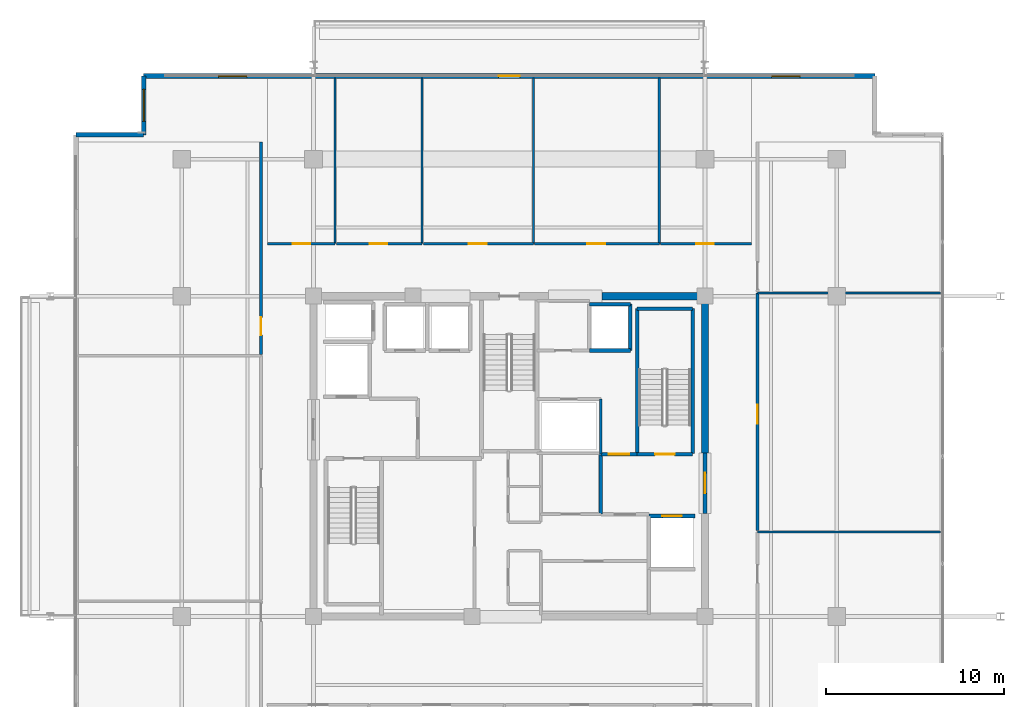
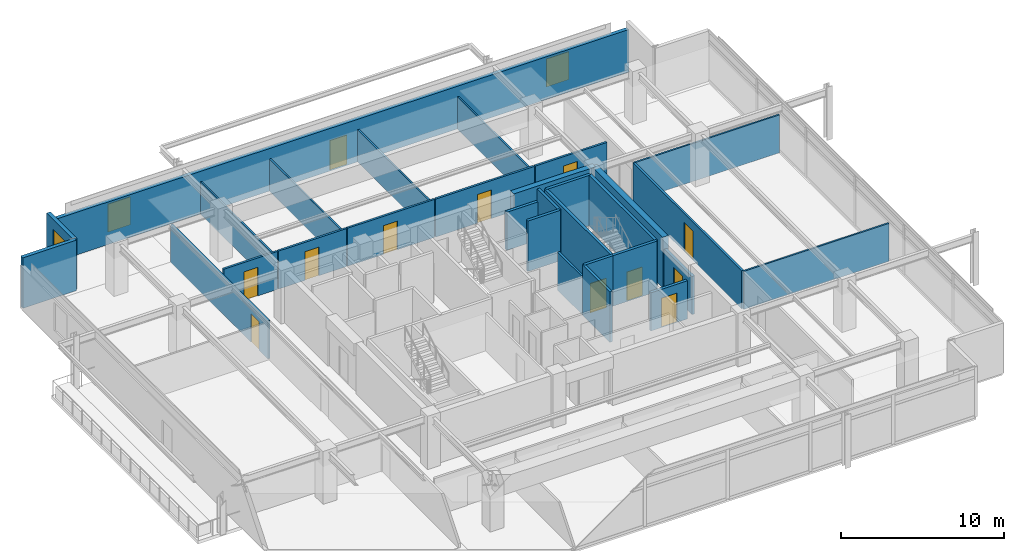
# One storey, part 15 of 20: 30 walls, 12 doors, 3 windows, 15 openings.
"""IFC4 building model written with IfcOpenShell, lengths in metres."""

from ifc_helpers import new_model, si_unit, direction, frame, frame_2d, origin, place, context, subcontext, project, spatial, rectangle, extrude, material, layer, layer_set, type_object, element, fill, save


model = new_model("IFC4")

# Units and contexts
model_context = context("Model", 3, precision=1e-05, world=origin(), true_north=direction((0.0, 1.0)))
body_context = subcontext(model_context, "Body", "Model", "MODEL_VIEW")
ifc_project = project(units=[si_unit("LENGTHUNIT", "METRE"), si_unit("AREAUNIT", "SQUARE_METRE"), si_unit("VOLUMEUNIT", "CUBIC_METRE"), si_unit("PLANEANGLEUNIT", "RADIAN"), si_unit("MASSUNIT", "GRAM", prefix="KILO")], contexts=[model_context])

# Site, building, storey
site_placement = place(None, origin())
site = spatial("IfcSite", under=ifc_project, at=site_placement, CompositionType="ELEMENT")
building_placement = place(site_placement, origin())
building = spatial("IfcBuilding", under=site, at=building_placement, Name="Kovane Verandah Tower", CompositionType="ELEMENT")
storey_placement = place(building_placement, frame((0.0, 0.0, 334.800048828125)))
storey = spatial("IfcBuildingStorey", under=building, at=storey_placement, Name="L78", CompositionType="ELEMENT", Elevation=334.800048828125)

# Wall
ifc_material_1 = material(Name="Fire-Rated Gypsum Stud Partition", Category="gypsum")
ifc_layer_1 = layer(ifc_material_1, 0.14990234375)
ifc_layer_set_1 = layer_set([ifc_layer_1], Name="Fire-Rated Gypsum Stud Partition")
wall_type_1 = type_object("IfcWallType", Name="WL-COR-150", PredefinedType="PARTITIONING", material=ifc_layer_set_1)
wall_1_placement = place(storey_placement, frame((45.14990234375, 27.6201171875, 0.0), z_axis=(0.0, 0.0, 1.0), x_axis=(0.0, 1.0, 0.0)))
element("IfcWall", 1, at=wall_1_placement, inside=storey, type_object=wall_type_1, Name="L78 East Core Service Riser East Wall", PredefinedType="PARTITIONING", context=body_context, shape_type="SweptSolid", body=[
    extrude(rectangle(XDim=3.099853515625, YDim=0.14990234375, at=frame_2d((1.5498046875, 0.0))), origin(), (0.0, 0.0, 1.0), 2.849853515625),
])

# Wall, opening, door
wall_2_placement = place(storey_placement, frame((26.39990234375, 39.449951171875, 0.0), z_axis=(0.0, 0.0, 1.0), x_axis=(1.0, 0.0, 0.0)))
wall_2 = element("IfcWall", 2, at=wall_2_placement, inside=storey, type_object=wall_type_1, Name="L78 Focus Studio N1 Corridor Partition", PredefinedType="PARTITIONING", context=body_context, shape_type="SweptSolid", body=[
    extrude(rectangle(XDim=3.80810546875, YDim=0.14990234375, at=frame_2d((1.904052734375, 0.0))), origin(), (0.0, 0.0, 1.0), 2.849853515625),
])
opening_1_placement = place(wall_2_placement, frame((1.4189453125, 0.0, 0.0)))
opening_1 = element("IfcOpeningElement", 3, at=opening_1_placement, cuts=wall_2, Name="Opening DR-L78-019", PredefinedType="OPENING", context=body_context, shape_type="SweptSolid", body=[
    extrude(rectangle(XDim=1.0, YDim=2.14990234375, at=frame_2d((0.5, 1.074951171875))), frame((0.0, 0.074951171875, 0.0), z_axis=(0.0, -1.0, 0.0), x_axis=(1.0, 0.0, 0.0)), (0.0, 0.0, 1.0), 0.14990234375),
])
ifc_material_2 = material(Name="FSC Spotted-Gum Timber Fire-Rated Office Door", Category="wood")
door_type_1 = type_object("IfcDoorType", Name="DR-OFF-1000", OperationType="SINGLE_SWING_LEFT", PredefinedType="DOOR", material=ifc_material_2)
door_1_placement = place(opening_1_placement, origin())
door_1 = element("IfcDoor", 4, at=door_1_placement, inside=storey, type_object=door_type_1, Name="L78 Focus Studio N1 Entrance Door", OperationType="SINGLE_SWING_LEFT", OverallHeight=2.14990234375, OverallWidth=1.0, PredefinedType="DOOR", context=body_context, shape_type="SweptSolid", body=[
    extrude(rectangle(XDim=1.0, YDim=2.14990234375, at=frame_2d((0.5, 1.074951171875))), frame((0.0, 0.02490234375, 0.0), z_axis=(0.0, -1.0, 0.0), x_axis=(1.0, 0.0, 0.0)), (0.0, 0.0, 1.0), 0.050048828125),
])
fill(opening_1, door_1)

wall_3_placement = place(storey_placement, frame((30.278076171875, 39.449951171875, 0.0), z_axis=(0.0, 0.0, 1.0), x_axis=(1.0, 0.0, 0.0)))
wall_3 = element("IfcWall", 5, at=wall_3_placement, inside=storey, type_object=wall_type_1, Name="L78 Breakout Pantry N2 Corridor Partition", PredefinedType="PARTITIONING", context=body_context, shape_type="SweptSolid", body=[
    extrude(rectangle(XDim=4.825927734375, YDim=0.14990234375, at=frame_2d((2.4130859375, 0.0))), origin(), (0.0, 0.0, 1.0), 2.849853515625),
])
opening_2_placement = place(wall_3_placement, frame((1.8779296875, 0.0, 0.0)))
opening_2 = element("IfcOpeningElement", 6, at=opening_2_placement, cuts=wall_3, Name="Opening DR-L78-020", PredefinedType="OPENING", context=body_context, shape_type="SweptSolid", body=[
    extrude(rectangle(XDim=1.0, YDim=2.14990234375, at=frame_2d((0.5, 1.074951171875))), frame((0.0, 0.074951171875, 0.0), z_axis=(0.0, -1.0, 0.0), x_axis=(1.0, 0.0, 0.0)), (0.0, 0.0, 1.0), 0.14990234375),
])
door_2_placement = place(opening_2_placement, origin())
door_2 = element("IfcDoor", 7, at=door_2_placement, inside=storey, type_object=door_type_1, Name="L78 Breakout Pantry N2 Entrance Door", OperationType="SINGLE_SWING_RIGHT", OverallHeight=2.14990234375, OverallWidth=1.0, PredefinedType="DOOR", context=body_context, shape_type="SweptSolid", body=[
    extrude(rectangle(XDim=1.0, YDim=2.14990234375, at=frame_2d((0.5, 1.074951171875))), frame((0.0, 0.02490234375, 0.0), z_axis=(0.0, -1.0, 0.0), x_axis=(1.0, 0.0, 0.0)), (0.0, 0.0, 1.0), 0.050048828125),
])
fill(opening_2, door_2)

wall_4_placement = place(storey_placement, frame((35.174072265625, 39.449951171875, 0.0), z_axis=(0.0, 0.0, 1.0), x_axis=(1.0, 0.0, 0.0)))
wall_4 = element("IfcWall", 8, at=wall_4_placement, inside=storey, type_object=wall_type_1, Name="L78 Collaboration Hub N3 Corridor Partition", PredefinedType="PARTITIONING", context=body_context, shape_type="SweptSolid", body=[
    extrude(rectangle(XDim=6.18603515625, YDim=0.14990234375, at=frame_2d((3.093017578125, 0.0))), origin(), (0.0, 0.0, 1.0), 2.849853515625),
])
opening_3_placement = place(wall_4_placement, frame((2.55810546875, 0.0, 0.0)))
opening_3 = element("IfcOpeningElement", 9, at=opening_3_placement, cuts=wall_4, Name="Opening DR-L78-021", PredefinedType="OPENING", context=body_context, shape_type="SweptSolid", body=[
    extrude(rectangle(XDim=1.0, YDim=2.14990234375, at=frame_2d((0.5, 1.074951171875))), frame((0.0, 0.074951171875, 0.0), z_axis=(0.0, -1.0, 0.0), x_axis=(1.0, 0.0, 0.0)), (0.0, 0.0, 1.0), 0.14990234375),
])
door_3_placement = place(opening_3_placement, origin())
door_3 = element("IfcDoor", 10, at=door_3_placement, inside=storey, type_object=door_type_1, Name="L78 Collaboration Hub N3 Entrance Door", OperationType="SINGLE_SWING_LEFT", OverallHeight=2.14990234375, OverallWidth=1.0, PredefinedType="DOOR", context=body_context, shape_type="SweptSolid", body=[
    extrude(rectangle(XDim=1.0, YDim=2.14990234375, at=frame_2d((0.5, 1.074951171875))), frame((0.0, 0.02490234375, 0.0), z_axis=(0.0, -1.0, 0.0), x_axis=(1.0, 0.0, 0.0)), (0.0, 0.0, 1.0), 0.050048828125),
])
fill(opening_3, door_3)

wall_5_placement = place(storey_placement, frame((41.429931640625, 39.449951171875, 0.0), z_axis=(0.0, 0.0, 1.0), x_axis=(1.0, 0.0, 0.0)))
wall_5 = element("IfcWall", 11, at=wall_5_placement, inside=storey, type_object=wall_type_1, Name="L78 Document and Print Room N4 Corridor Partition", PredefinedType="PARTITIONING", context=body_context, shape_type="SweptSolid", body=[
    extrude(rectangle(XDim=7.001953125, YDim=0.14990234375, at=frame_2d((3.5009765625, 0.0))), origin(), (0.0, 0.0, 1.0), 2.849853515625),
])
opening_4_placement = place(wall_5_placement, frame((2.966064453125, 0.0, 0.0)))
opening_4 = element("IfcOpeningElement", 12, at=opening_4_placement, cuts=wall_5, Name="Opening DR-L78-022", PredefinedType="OPENING", context=body_context, shape_type="SweptSolid", body=[
    extrude(rectangle(XDim=1.0, YDim=2.14990234375, at=frame_2d((0.5, 1.074951171875))), frame((0.0, 0.074951171875, 0.0), z_axis=(0.0, -1.0, 0.0), x_axis=(1.0, 0.0, 0.0)), (0.0, 0.0, 1.0), 0.14990234375),
])
door_4_placement = place(opening_4_placement, origin())
door_4 = element("IfcDoor", 13, at=door_4_placement, inside=storey, type_object=door_type_1, Name="L78 Document and Print Room N4 Entrance Door", OperationType="SINGLE_SWING_RIGHT", OverallHeight=2.14990234375, OverallWidth=1.0, PredefinedType="DOOR", context=body_context, shape_type="SweptSolid", body=[
    extrude(rectangle(XDim=1.0, YDim=2.14990234375, at=frame_2d((0.5, 1.074951171875))), frame((0.0, 0.02490234375, 0.0), z_axis=(0.0, -1.0, 0.0), x_axis=(1.0, 0.0, 0.0)), (0.0, 0.0, 1.0), 0.050048828125),
])
fill(opening_4, door_4)

wall_6_placement = place(storey_placement, frame((48.501953125, 39.449951171875, 0.0), z_axis=(0.0, 0.0, 1.0), x_axis=(1.0, 0.0, 0.0)))
wall_6 = element("IfcWall", 14, at=wall_6_placement, inside=storey, type_object=wall_type_1, Name="L78 Open Plan Office N5 Corridor Partition", PredefinedType="PARTITIONING", context=body_context, shape_type="SweptSolid", body=[
    extrude(rectangle(XDim=5.09814453125, YDim=0.14990234375, at=frame_2d((2.549072265625, 0.0))), origin(), (0.0, 0.0, 1.0), 2.849853515625),
])
opening_5_placement = place(wall_6_placement, frame((1.9990234375, 0.0, 0.0)))
opening_5 = element("IfcOpeningElement", 15, at=opening_5_placement, cuts=wall_6, Name="Opening DR-L78-023", PredefinedType="OPENING", context=body_context, shape_type="SweptSolid", body=[
    extrude(rectangle(XDim=1.0, YDim=2.14990234375, at=frame_2d((0.5, 1.074951171875))), frame((0.0, 0.074951171875, 0.0), z_axis=(0.0, -1.0, 0.0), x_axis=(1.0, 0.0, 0.0)), (0.0, 0.0, 1.0), 0.14990234375),
])
door_5_placement = place(opening_5_placement, origin())
door_5 = element("IfcDoor", 16, at=door_5_placement, inside=storey, type_object=door_type_1, Name="L78 Open Plan Office N5 Entrance Door", OperationType="SINGLE_SWING_LEFT", OverallHeight=2.14990234375, OverallWidth=1.0, PredefinedType="DOOR", context=body_context, shape_type="SweptSolid", body=[
    extrude(rectangle(XDim=1.0, YDim=2.14990234375, at=frame_2d((0.5, 1.074951171875))), frame((0.0, 0.02490234375, 0.0), z_axis=(0.0, -1.0, 0.0), x_axis=(1.0, 0.0, 0.0)), (0.0, 0.0, 1.0), 0.050048828125),
])
fill(opening_5, door_5)

wall_7_placement = place(storey_placement, frame((26.050048828125, 33.22509765625, 0.0), z_axis=(0.0, 0.0, 1.0), x_axis=(0.0, 1.0, 0.0)))
wall_7 = element("IfcWall", 17, at=wall_7_placement, inside=storey, type_object=wall_type_1, Name="L78 Document and Print Room W3 Corridor Partition", PredefinedType="PARTITIONING", context=body_context, shape_type="SweptSolid", body=[
    extrude(rectangle(XDim=11.947021484375, YDim=0.14990234375, at=frame_2d((5.9736328125, 0.0))), origin(), (0.0, 0.0, 1.0), 2.849853515625),
])
opening_6_placement = place(wall_7_placement, frame((1.08740234375, 0.0, 0.0)))
opening_6 = element("IfcOpeningElement", 18, at=opening_6_placement, cuts=wall_7, Name="Opening DR-L78-033", PredefinedType="OPENING", context=body_context, shape_type="SweptSolid", body=[
    extrude(rectangle(XDim=1.0, YDim=2.14990234375, at=frame_2d((0.5, 1.074951171875))), frame((0.0, 0.074951171875, 0.0), z_axis=(0.0, -1.0, 0.0), x_axis=(1.0, 0.0, 0.0)), (0.0, 0.0, 1.0), 0.14990234375),
])
door_6_placement = place(opening_6_placement, origin())
door_6 = element("IfcDoor", 19, at=door_6_placement, inside=storey, type_object=door_type_1, Name="L78 Document and Print Room W3 Entrance Door", OperationType="SINGLE_SWING_RIGHT", OverallHeight=2.14990234375, OverallWidth=1.0, PredefinedType="DOOR", context=body_context, shape_type="SweptSolid", body=[
    extrude(rectangle(XDim=1.0, YDim=2.14990234375, at=frame_2d((0.5, 1.074951171875))), frame((0.0, 0.02490234375, 0.0), z_axis=(0.0, -1.0, 0.0), x_axis=(1.0, 0.0, 0.0)), (0.0, 0.0, 1.0), 0.050048828125),
])
fill(opening_6, door_6)

wall_8_placement = place(storey_placement, frame((53.949951171875, 23.32861328125, 0.0), z_axis=(0.0, 0.0, 1.0), x_axis=(0.0, 1.0, 0.0)))
wall_8 = element("IfcWall", 20, at=wall_8_placement, inside=storey, type_object=wall_type_1, Name="L78 Executive Office E2 Corridor Partition", PredefinedType="PARTITIONING", context=body_context, shape_type="SweptSolid", body=[
    extrude(rectangle(XDim=13.36083984375, YDim=0.14990234375, at=frame_2d((6.680419921875, 0.0))), origin(), (0.0, 0.0, 1.0), 2.849853515625),
])
opening_7_placement = place(wall_8_placement, frame((6.0107421875, 0.0, 0.0)))
opening_7 = element("IfcOpeningElement", 21, at=opening_7_placement, cuts=wall_8, Name="Opening DR-L78-012", PredefinedType="OPENING", context=body_context, shape_type="SweptSolid", body=[
    extrude(rectangle(XDim=1.050048828125, YDim=2.199951171875, at=frame_2d((0.52490234375, 1.10009765625))), frame((0.0, 0.074951171875, 0.0), z_axis=(0.0, -1.0, 0.0), x_axis=(1.0, 0.0, 0.0)), (0.0, 0.0, 1.0), 0.14990234375),
])
ifc_material_3 = material(Name="FSC Blackbutt Timber Fire-Rated Executive Door", Category="wood")
door_type_2 = type_object("IfcDoorType", Name="DR-EXEC-1050", OperationType="SINGLE_SWING_LEFT", PredefinedType="DOOR", material=ifc_material_3)
door_7_placement = place(opening_7_placement, origin())
door_7 = element("IfcDoor", 22, at=door_7_placement, inside=storey, type_object=door_type_2, Name="L78 Executive Office E2 Entrance Door", OperationType="SINGLE_SWING_RIGHT", OverallHeight=2.199951171875, OverallWidth=1.050048828125, PredefinedType="DOOR", context=body_context, shape_type="SweptSolid", body=[
    extrude(rectangle(XDim=1.050048828125, YDim=2.199951171875, at=frame_2d((0.52490234375, 1.10009765625))), frame((0.0, 0.02490234375, 0.0), z_axis=(0.0, -1.0, 0.0), x_axis=(1.0, 0.0, 0.0)), (0.0, 0.0, 1.0), 0.050048828125),
])
fill(opening_7, door_7)

# Walls
ifc_material_4 = material(Name="Concrete C60/75", Category="concrete")
ifc_layer_2 = layer(ifc_material_4, 0.39990234375)
ifc_layer_set_2 = layer_set([ifc_layer_2], Name="Concrete C60/75")
wall_type_2 = type_object("IfcWallType", Name="WL-CORE-400", PredefinedType="SHEAR", material=ifc_layer_set_2)
wall_9_placement = place(storey_placement, frame((45.199951171875, 36.5, 0.0), z_axis=(0.0, 0.0, 1.0), x_axis=(1.0, 0.0, 0.0)))
element("IfcWall", 23, at=wall_9_placement, inside=storey, type_object=wall_type_2, Name="L78 Core Shear Wall CN-3", PredefinedType="SHEAR", context=body_context, shape_type="SweptSolid", body=[
    extrude(rectangle(XDim=5.800048828125, YDim=0.39990234375, at=frame_2d((2.89990234375, 0.0))), origin(), (0.0, 0.0, 1.0), 3.784912109375),
])
wall_10_placement = place(storey_placement, frame((51.0, 27.699951171875, 0.0), z_axis=(0.0, 0.0, 1.0), x_axis=(0.0, 1.0, 0.0)))
element("IfcWall", 24, at=wall_10_placement, inside=storey, type_object=wall_type_2, Name="L78 Core Shear Wall CE-2", PredefinedType="SHEAR", context=body_context, shape_type="SweptSolid", body=[
    extrude(rectangle(XDim=8.800048828125, YDim=0.39990234375, at=frame_2d((4.39990234375, 0.0))), origin(), (0.0, 0.0, 1.0), 3.784912109375),
])
ifc_material_5 = material(Name="Concrete C45/55 Fire Wall", Category="concrete")
ifc_layer_3 = layer(ifc_material_5, 0.199951171875)
ifc_layer_set_3 = layer_set([ifc_layer_3], Name="Concrete C45/55 Fire Wall")
wall_type_3 = type_object("IfcWallType", Name="WL-FFL-200", PredefinedType="PARTITIONING", material=ifc_layer_set_3)
wall_11_placement = place(storey_placement, frame((45.14990234375, 24.25, 0.0), z_axis=(0.0, 0.0, 1.0), x_axis=(0.0, 1.0, 0.0)))
element("IfcWall", 25, at=wall_11_placement, inside=storey, type_object=wall_type_3, Name="L78 East Firefighting Lobby West Fire Wall", PredefinedType="PARTITIONING", context=body_context, shape_type="SweptSolid", body=[
    extrude(rectangle(XDim=3.3701171875, YDim=0.199951171875, at=frame_2d((1.68505859375, 0.0))), origin(), (0.0, 0.0, 1.0), 3.784912109375),
])

# Wall, opening, door
wall_12_placement = place(storey_placement, frame((45.14990234375, 27.6201171875, 0.0), z_axis=(0.0, 0.0, 1.0), x_axis=(1.0, 0.0, 0.0)))
wall_12 = element("IfcWall", 26, at=wall_12_placement, inside=storey, type_object=wall_type_3, Name="W-L78-FFLE-N", PredefinedType="PARTITIONING", context=body_context, shape_type="SweptSolid", body=[
    extrude(rectangle(XDim=2.030029296875, YDim=0.199951171875, at=frame_2d((1.01513671875, 0.0))), origin(), (0.0, 0.0, 1.0), 3.784912109375),
])
opening_8_placement = place(wall_12_placement, frame((0.43994140625, 0.0, 0.0)))
opening_8 = element("IfcOpeningElement", 27, at=opening_8_placement, cuts=wall_12, Name="Opening DR-L78-004", PredefinedType="OPENING", context=body_context, shape_type="SweptSolid", body=[
    extrude(rectangle(XDim=1.14990234375, YDim=2.199951171875, at=frame_2d((0.574951171875, 1.10009765625))), frame((0.0, 0.10009765625, 0.0), z_axis=(0.0, -1.0, 0.0), x_axis=(1.0, 0.0, 0.0)), (0.0, 0.0, 1.0), 0.199951171875),
])
ifc_material_6 = material(Name="Smoke-Sealed Firefighting Lobby Door", Category="steel")
door_type_3 = type_object("IfcDoorType", Name="DR-FFL-1150", OperationType="SINGLE_SWING_LEFT", PredefinedType="DOOR", material=ifc_material_6)
door_8_placement = place(opening_8_placement, origin())
door_8 = element("IfcDoor", 28, at=door_8_placement, inside=storey, type_object=door_type_3, Name="L78 East Firefighting Lobby Shuttle Link Door", OperationType="SINGLE_SWING_LEFT", OverallHeight=2.199951171875, OverallWidth=1.14990234375, PredefinedType="DOOR", context=body_context, shape_type="SweptSolid", body=[
    extrude(rectangle(XDim=1.14990234375, YDim=2.199951171875, at=frame_2d((0.574951171875, 1.10009765625))), frame((0.0, 0.02490234375, 0.0), z_axis=(0.0, -1.0, 0.0), x_axis=(1.0, 0.0, 0.0)), (0.0, 0.0, 1.0), 0.050048828125),
])
fill(opening_8, door_8)

wall_13_placement = place(storey_placement, frame((51.0, 24.300048828125, 0.0), z_axis=(0.0, 0.0, 1.0), x_axis=(0.0, 1.0, 0.0)))
wall_13 = element("IfcWall", 29, at=wall_13_placement, inside=storey, type_object=wall_type_3, Name="W-L78-FFLE-OUT", PredefinedType="PARTITIONING", context=body_context, shape_type="SweptSolid", body=[
    extrude(rectangle(XDim=3.39990234375, YDim=0.199951171875, at=frame_2d((1.699951171875, 0.0))), origin(), (0.0, 0.0, 1.0), 2.864990234375),
])
opening_9_placement = place(wall_13_placement, frame((1.125, 0.0, 0.0)))
opening_9 = element("IfcOpeningElement", 30, at=opening_9_placement, cuts=wall_13, Name="Opening DR-L78-005", PredefinedType="OPENING", context=body_context, shape_type="SweptSolid", body=[
    extrude(rectangle(XDim=1.14990234375, YDim=2.199951171875, at=frame_2d((0.574951171875, 1.10009765625))), frame((0.0, 0.10009765625, 0.0), z_axis=(0.0, -1.0, 0.0), x_axis=(1.0, 0.0, 0.0)), (0.0, 0.0, 1.0), 0.199951171875),
])
door_9_placement = place(opening_9_placement, origin())
door_9 = element("IfcDoor", 31, at=door_9_placement, inside=storey, type_object=door_type_3, Name="L78 East Firefighting Lobby Corridor Door", OperationType="SINGLE_SWING_LEFT", OverallHeight=2.199951171875, OverallWidth=1.14990234375, PredefinedType="DOOR", context=body_context, shape_type="SweptSolid", body=[
    extrude(rectangle(XDim=1.14990234375, YDim=2.199951171875, at=frame_2d((0.574951171875, 1.10009765625))), frame((0.0, 0.02490234375, 0.0), z_axis=(0.0, -1.0, 0.0), x_axis=(1.0, 0.0, 0.0)), (0.0, 0.0, 1.0), 0.050048828125),
])
fill(opening_9, door_9)

ifc_material_7 = material(Name="Concrete C45/55 Lift Shaft Wall", Category="concrete")
ifc_layer_4 = layer(ifc_material_7, 0.199951171875)
ifc_layer_set_4 = layer_set([ifc_layer_4], Name="Concrete C45/55 Lift Shaft Wall")
wall_type_4 = type_object("IfcWallType", Name="WL-LIFT-200", PredefinedType="SOLIDWALL", material=ifc_layer_set_4)
wall_14_placement = place(storey_placement, frame((50.449951171875, 24.14990234375, 0.0), z_axis=(0.0, 0.0, 1.0), x_axis=(-1.0, 0.0, 0.0)))
wall_14 = element("IfcWall", 32, at=wall_14_placement, inside=storey, type_object=wall_type_4, Name="L78 Lift FL-02 N Shaft Wall", PredefinedType="SOLIDWALL", context=body_context, shape_type="SweptSolid", body=[
    extrude(rectangle(XDim=2.599853515625, YDim=0.199951171875, at=frame_2d((1.2998046875, 0.0))), origin(), (0.0, 0.0, 1.0), 2.864990234375),
])
opening_10_placement = place(wall_14_placement, frame((0.75, 0.0, 0.0)))
opening_10 = element("IfcOpeningElement", 33, at=opening_10_placement, cuts=wall_14, Name="Opening LD-L78-002", PredefinedType="OPENING", context=body_context, shape_type="SweptSolid", body=[
    extrude(rectangle(XDim=1.10009765625, YDim=2.199951171875, at=frame_2d((0.550048828125, 1.10009765625))), frame((0.0, 0.10009765625, 0.0), z_axis=(0.0, -1.0, 0.0), x_axis=(1.0, 0.0, 0.0)), (0.0, 0.0, 1.0), 0.199951171875),
])
ifc_material_8 = material(Name="Brushed Stainless Steel Sliding Lift Landing Door", Category="steel")
door_type_4 = type_object("IfcDoorType", Name="DR-LIFT-1100", OperationType="SLIDING_TO_RIGHT", PredefinedType="DOOR", material=ifc_material_8)
door_10_placement = place(opening_10_placement, origin())
door_10 = element("IfcDoor", 34, at=door_10_placement, inside=storey, type_object=door_type_4, Name="L78 Lift FL-02 Sliding Landing Door", OperationType="SLIDING_TO_RIGHT", OverallHeight=2.199951171875, OverallWidth=1.10009765625, PredefinedType="DOOR", context=body_context, shape_type="SweptSolid", body=[
    extrude(rectangle(XDim=1.10009765625, YDim=2.199951171875, at=frame_2d((0.550048828125, 1.10009765625))), frame((0.0, 0.02490234375, 0.0), z_axis=(0.0, -1.0, 0.0), x_axis=(1.0, 0.0, 0.0)), (0.0, 0.0, 1.0), 0.050048828125),
])
fill(opening_10, door_10)

# Walls
wall_15_placement = place(storey_placement, frame((44.5, 33.449951171875, 0.0), z_axis=(0.0, 0.0, 1.0), x_axis=(1.0, 0.0, 0.0)))
element("IfcWall", 35, at=wall_15_placement, inside=storey, type_object=wall_type_4, Name="L78 Lift OL-01 S Shaft Wall", PredefinedType="SOLIDWALL", context=body_context, shape_type="SweptSolid", body=[
    extrude(rectangle(XDim=2.300048828125, YDim=0.199951171875, at=frame_2d((1.14990234375, 0.0))), origin(), (0.0, 0.0, 1.0), 3.784912109375),
])
wall_16_placement = place(storey_placement, frame((46.800048828125, 36.050048828125, 0.0), z_axis=(0.0, 0.0, 1.0), x_axis=(-1.0, 0.0, 0.0)))
element("IfcWall", 36, at=wall_16_placement, inside=storey, type_object=wall_type_4, Name="L78 Lift OL-01 N Shaft Wall", PredefinedType="SOLIDWALL", context=body_context, shape_type="SweptSolid", body=[
    extrude(rectangle(XDim=2.300048828125, YDim=0.199951171875, at=frame_2d((1.14990234375, 0.0))), origin(), (0.0, 0.0, 1.0), 2.864990234375),
])
wall_17_placement = place(storey_placement, frame((46.800048828125, 33.449951171875, 0.0), z_axis=(0.0, 0.0, 1.0), x_axis=(0.0, 1.0, 0.0)))
element("IfcWall", 37, at=wall_17_placement, inside=storey, type_object=wall_type_4, Name="L78 Lift OL-01 E Shaft Wall", PredefinedType="SOLIDWALL", context=body_context, shape_type="SweptSolid", body=[
    extrude(rectangle(XDim=2.60009765625, YDim=0.199951171875, at=frame_2d((1.300048828125, 0.0))), origin(), (0.0, 0.0, 1.0), 3.784912109375),
])
ifc_material_9 = material(Name="Acoustic Fire-Rated Gypsum Partition", Category="gypsum")
ifc_layer_5 = layer(ifc_material_9, 0.1201171875)
ifc_layer_set_5 = layer_set([ifc_layer_5], Name="Acoustic Fire-Rated Gypsum Partition")
wall_type_5 = type_object("IfcWallType", Name="WL-PART-120", PredefinedType="PARTITIONING", material=ifc_layer_set_5)
for number, where, z_axis, x_axis, name in (
    (38, (30.2080078125, 39.449951171875, 0.0), (0.0, 0.0, 1.0), (0.0, 1.0, 0.0), "L78 Focus Studio N1 Dividing Partition"),
    (39, (35.10400390625, 39.449951171875, 0.0), (0.0, 0.0, 1.0), (0.0, 1.0, 0.0), "L78 Breakout Pantry N2 Dividing Partition"),
    (40, (41.360107421875, 39.449951171875, 0.0), (0.0, 0.0, 1.0), (0.0, 1.0, 0.0), "L78 Collaboration Hub N3 Dividing Partition"),
    (41, (48.431884765625, 39.449951171875, 0.0), (0.0, 0.0, 1.0), (0.0, 1.0, 0.0), "L78 Document and Print Room N4 Dividing Partition"),
):
    element("IfcWall", number, at=place(storey_placement, frame(where, z_axis=z_axis, x_axis=x_axis)), inside=storey, type_object=wall_type_5, Name=name, PredefinedType="PARTITIONING", context=body_context, shape_type="SweptSolid", body=[
        extrude(rectangle(XDim=9.322265625, YDim=0.1201171875, at=frame_2d((4.6611328125, 0.0))), origin(), (0.0, 0.0, 1.0), 2.4150390625),
    ])
for number, where, z_axis, x_axis, name in (
    (42, (53.949951171875, 23.2587890625, 0.0), (0.0, 0.0, 1.0), (1.0, 0.0, 0.0), "L78 Open Plan Office E1 Dividing Partition"),
    (43, (53.949951171875, 36.689453125, 0.0), (0.0, 0.0, 1.0), (1.0, 0.0, 0.0), "L78 Executive Office E2 Dividing Partition"),
):
    element("IfcWall", number, at=place(storey_placement, frame(where, z_axis=z_axis, x_axis=x_axis)), inside=storey, type_object=wall_type_5, Name=name, PredefinedType="PARTITIONING", context=body_context, shape_type="SweptSolid", body=[
        extrude(rectangle(XDim=10.29443359375, YDim=0.1201171875, at=frame_2d((5.147216796875, 0.0))), origin(), (0.0, 0.0, 1.0), 2.849853515625),
    ])
ifc_material_10 = material(Name="Concrete C45/55", Category="concrete")
ifc_layer_6 = layer(ifc_material_10, 0.199951171875)
ifc_layer_set_6 = layer_set([ifc_layer_6], Name="Concrete C45/55")
wall_type_6 = type_object("IfcWallType", Name="WL-SHAFT-200", PredefinedType="SOLIDWALL", material=ifc_layer_set_6)
wall_18_placement = place(storey_placement, frame((50.300048828125, 27.64990234375, 0.0), z_axis=(0.0, 0.0, 1.0), x_axis=(0.0, 1.0, 0.0)))
element("IfcWall", 44, at=wall_18_placement, inside=storey, type_object=wall_type_6, Name="W-L78-ST02-E", PredefinedType="SOLIDWALL", context=body_context, shape_type="SweptSolid", body=[
    extrude(rectangle(XDim=8.150146484375, YDim=0.199951171875, at=frame_2d((4.0751953125, 0.0))), origin(), (0.0, 0.0, 1.0), 3.784912109375),
])
wall_19_placement = place(storey_placement, frame((47.179931640625, 35.800048828125, 0.0), z_axis=(0.0, 0.0, 1.0), x_axis=(1.0, 0.0, 0.0)))
element("IfcWall", 45, at=wall_19_placement, inside=storey, type_object=wall_type_6, Name="W-L78-ST02-N", PredefinedType="SOLIDWALL", context=body_context, shape_type="SweptSolid", body=[
    extrude(rectangle(XDim=3.1201171875, YDim=0.199951171875, at=frame_2d((1.56005859375, 0.0))), origin(), (0.0, 0.0, 1.0), 3.784912109375),
])
wall_20_placement = place(storey_placement, frame((47.179931640625, 27.6201171875, 0.0), z_axis=(0.0, 0.0, 1.0), x_axis=(0.0, 1.0, 0.0)))
element("IfcWall", 46, at=wall_20_placement, inside=storey, type_object=wall_type_6, Name="W-L78-ST02-W", PredefinedType="SOLIDWALL", context=body_context, shape_type="SweptSolid", body=[
    extrude(rectangle(XDim=8.179931640625, YDim=0.199951171875, at=frame_2d((4.08984375, 0.0))), origin(), (0.0, 0.0, 1.0), 3.784912109375),
])

# Wall, opening, door
wall_21_placement = place(storey_placement, frame((47.179931640625, 27.6201171875, 0.0), z_axis=(0.0, 0.0, 1.0), x_axis=(1.0, 0.0, 0.0)))
wall_21 = element("IfcWall", 47, at=wall_21_placement, inside=storey, type_object=wall_type_6, Name="W-L78-ST02-S", PredefinedType="SOLIDWALL", context=body_context, shape_type="SweptSolid", body=[
    extrude(rectangle(XDim=3.1201171875, YDim=0.199951171875, at=frame_2d((1.56005859375, 0.0))), origin(), (0.0, 0.0, 1.0), 3.784912109375),
])
opening_11_placement = place(wall_21_placement, frame((1.010009765625, 0.0, 0.0)))
opening_11 = element("IfcOpeningElement", 48, at=opening_11_placement, cuts=wall_21, Name="Opening DR-L78-009", PredefinedType="OPENING", context=body_context, shape_type="SweptSolid", body=[
    extrude(rectangle(XDim=1.10009765625, YDim=2.14990234375, at=frame_2d((0.550048828125, 1.074951171875))), frame((0.0, 0.10009765625, 0.0), z_axis=(0.0, -1.0, 0.0), x_axis=(1.0, 0.0, 0.0)), (0.0, 0.0, 1.0), 0.199951171875),
])
ifc_material_11 = material(Name="Fire-Rated Steel Exit Door", Category="steel")
door_type_5 = type_object("IfcDoorType", Name="DR-STAIR-1100", OperationType="SINGLE_SWING_LEFT", PredefinedType="DOOR", material=ifc_material_11)
door_11_placement = place(opening_11_placement, origin())
door_11 = element("IfcDoor", 49, at=door_11_placement, inside=storey, type_object=door_type_5, Name="L78 ST-02 Fire Exit Stair Door", OperationType="SINGLE_SWING_LEFT", OverallHeight=2.14990234375, OverallWidth=1.10009765625, PredefinedType="DOOR", context=body_context, shape_type="SweptSolid", body=[
    extrude(rectangle(XDim=1.10009765625, YDim=2.14990234375, at=frame_2d((0.550048828125, 1.074951171875))), frame((0.0, 0.02490234375, 0.0), z_axis=(0.0, -1.0, 0.0), x_axis=(1.0, 0.0, 0.0)), (0.0, 0.0, 1.0), 0.050048828125),
])
fill(opening_11, door_11)

# Wall, openings, door, windows
ifc_material_12 = material(Name="Concrete C45/55 Insulated Spandrel Wall", Category="concrete")
ifc_layer_7 = layer(ifc_material_12, 0.260009765625)
ifc_layer_set_7 = layer_set([ifc_layer_7], Name="Concrete C45/55 Insulated Spandrel Wall")
wall_type_7 = type_object("IfcWallType", Name="WL-SPANDREL-260", PredefinedType="PARAPET", material=ifc_layer_set_7)
wall_22_placement = place(storey_placement, frame((60.54443359375, 48.872314453125, 0.0), z_axis=(0.0, 0.0, 1.0), x_axis=(-1.0, 0.0, 0.0)))
wall_22 = element("IfcWall", 50, at=wall_22_placement, inside=storey, type_object=wall_type_7, Name="L78 N Verandah Access Facade Wall", PredefinedType="PARAPET", context=body_context, shape_type="SweptSolid", body=[
    extrude(rectangle(XDim=41.0888671875, YDim=0.260009765625, at=frame_2d((20.54443359375, 0.0))), origin(), (0.0, 0.0, 1.0), 3.195556640625),
])
opening_12_placement = place(wall_22_placement, frame((4.199951171875, 0.0, 0.85009765625)))
opening_12 = element("IfcOpeningElement", 51, at=opening_12_placement, cuts=wall_22, Name="Opening W-02", PredefinedType="OPENING", context=body_context, shape_type="SweptSolid", body=[
    extrude(rectangle(XDim=1.60009765625, YDim=2.10009765625, at=frame_2d((0.800048828125, 1.050048828125))), frame((0.0, 0.1298828125, 0.0), z_axis=(0.0, -1.0, 0.0), x_axis=(1.0, 0.0, 0.0)), (0.0, 0.0, 1.0), 0.260009765625),
])
opening_13_placement = place(wall_22_placement, frame((19.9443359375, 0.0, 0.0)))
opening_13 = element("IfcOpeningElement", 52, at=opening_13_placement, cuts=wall_22, Name="Opening DR-L78-001", PredefinedType="OPENING", context=body_context, shape_type="SweptSolid", body=[
    extrude(rectangle(XDim=1.199951171875, YDim=2.199951171875, at=frame_2d((0.60009765625, 1.10009765625))), frame((0.0, 0.1298828125, 0.0), z_axis=(0.0, -1.0, 0.0), x_axis=(1.0, 0.0, 0.0)), (0.0, 0.0, 1.0), 0.260009765625),
])
opening_14_placement = place(wall_22_placement, frame((35.288818359375, 0.0, 0.85009765625)))
opening_14 = element("IfcOpeningElement", 53, at=opening_14_placement, cuts=wall_22, Name="Opening W-02", PredefinedType="OPENING", context=body_context, shape_type="SweptSolid", body=[
    extrude(rectangle(XDim=1.60009765625, YDim=2.10009765625, at=frame_2d((0.800048828125, 1.050048828125))), frame((0.0, 0.1298828125, 0.0), z_axis=(0.0, -1.0, 0.0), x_axis=(1.0, 0.0, 0.0)), (0.0, 0.0, 1.0), 0.260009765625),
])
ifc_material_13 = material(Name="Cyclone-Rated Glazed Balcony Leaf Door", Category="aluminium")
door_type_6 = type_object("IfcDoorType", Name="DR-BAL-1200x2200", OperationType="SINGLE_SWING_LEFT", PredefinedType="DOOR", material=ifc_material_13)
door_12_placement = place(opening_13_placement, origin())
door_12 = element("IfcDoor", 54, at=door_12_placement, inside=storey, type_object=door_type_6, Name="L78 N Planted Balcony Access Door", OperationType="SINGLE_SWING_LEFT", OverallHeight=2.199951171875, OverallWidth=1.199951171875, PredefinedType="DOOR", context=body_context, shape_type="SweptSolid", body=[
    extrude(rectangle(XDim=1.199951171875, YDim=2.199951171875, at=frame_2d((0.60009765625, 1.10009765625))), frame((0.0, 0.02490234375, 0.0), z_axis=(0.0, -1.0, 0.0), x_axis=(1.0, 0.0, 0.0)), (0.0, 0.0, 1.0), 0.050048828125),
])
fill(opening_13, door_12)
ifc_material_14 = material(Name="Clear Low-E Laminated Double Glazing in Anodised Frame", Category="glass")
window_type_1 = type_object("IfcWindowType", Name="WN-OPER-1600x2100", PartitioningType="SINGLE_PANEL", PredefinedType="WINDOW", material=ifc_material_14)
window_1_placement = place(opening_12_placement, origin())
window_1 = element("IfcWindow", 55, at=window_1_placement, inside=storey, type_object=window_type_1, Name="L78 N Verandah View Window 1", OverallHeight=2.10009765625, OverallWidth=1.60009765625, PartitioningType="SINGLE_PANEL", PredefinedType="WINDOW", context=body_context, shape_type="SweptSolid", body=[
    extrude(rectangle(XDim=1.60009765625, YDim=2.10009765625, at=frame_2d((0.800048828125, 1.050048828125))), frame((0.0, 0.030029296875, 0.0), z_axis=(0.0, -1.0, 0.0), x_axis=(1.0, 0.0, 0.0)), (0.0, 0.0, 1.0), 0.06005859375),
])
fill(opening_12, window_1)
window_2_placement = place(opening_14_placement, origin())
window_2 = element("IfcWindow", 56, at=window_2_placement, inside=storey, type_object=window_type_1, Name="L78 N Verandah View Window 2", OverallHeight=2.10009765625, OverallWidth=1.60009765625, PartitioningType="SINGLE_PANEL", PredefinedType="WINDOW", context=body_context, shape_type="SweptSolid", body=[
    extrude(rectangle(XDim=1.60009765625, YDim=2.10009765625, at=frame_2d((0.800048828125, 1.050048828125))), frame((0.0, 0.030029296875, 0.0), z_axis=(0.0, -1.0, 0.0), x_axis=(1.0, 0.0, 0.0)), (0.0, 0.0, 1.0), 0.06005859375),
])
fill(opening_14, window_2)

# Wall, opening, window
wall_23_placement = place(storey_placement, frame((19.45556640625, 48.872314453125, 0.0), z_axis=(0.0, 0.0, 1.0), x_axis=(0.0, -1.0, 0.0)))
wall_23 = element("IfcWall", 57, at=wall_23_placement, inside=storey, type_object=wall_type_7, Name="L78 NW Notch Cheek Wall 1", PredefinedType="PARAPET", context=body_context, shape_type="SweptSolid", body=[
    extrude(rectangle(XDim=3.300048828125, YDim=0.260009765625, at=frame_2d((1.64990234375, 0.0))), origin(), (0.0, 0.0, 1.0), 3.784912109375),
])
opening_15_placement = place(wall_23_placement, frame((0.75, 0.0, 0.85009765625)))
opening_15 = element("IfcOpeningElement", 58, at=opening_15_placement, cuts=wall_23, Name="Opening W-03", PredefinedType="OPENING", context=body_context, shape_type="SweptSolid", body=[
    extrude(rectangle(XDim=1.800048828125, YDim=2.199951171875, at=frame_2d((0.89990234375, 1.10009765625))), frame((0.0, 0.1298828125, 0.0), z_axis=(0.0, -1.0, 0.0), x_axis=(1.0, 0.0, 0.0)), (0.0, 0.0, 1.0), 0.260009765625),
])
window_type_2 = type_object("IfcWindowType", Name="WN-NOTCH-1800x2200", PartitioningType="SINGLE_PANEL", PredefinedType="WINDOW", material=ifc_material_14)
window_3_placement = place(opening_15_placement, origin())
window_3 = element("IfcWindow", 59, at=window_3_placement, inside=storey, type_object=window_type_2, Name="L78 NW Re-Entrant Corner Operable Window", OverallHeight=2.199951171875, OverallWidth=1.800048828125, PartitioningType="SINGLE_PANEL", PredefinedType="WINDOW", context=body_context, shape_type="SweptSolid", body=[
    extrude(rectangle(XDim=1.800048828125, YDim=2.199951171875, at=frame_2d((0.89990234375, 1.10009765625))), frame((0.0, 0.030029296875, 0.0), z_axis=(0.0, -1.0, 0.0), x_axis=(1.0, 0.0, 0.0)), (0.0, 0.0, 1.0), 0.06005859375),
])
fill(opening_15, window_3)

# Wall
wall_24_placement = place(storey_placement, frame((19.45556640625, 45.572265625, 0.0), z_axis=(0.0, 0.0, 1.0), x_axis=(-1.0, 0.0, 0.0)))
element("IfcWall", 60, at=wall_24_placement, inside=storey, type_object=wall_type_7, Name="L78 NW Notch Cheek Wall 2", PredefinedType="PARAPET", context=body_context, shape_type="SweptSolid", body=[
    extrude(rectangle(XDim=3.800048828125, YDim=0.260009765625, at=frame_2d((1.89990234375, 0.0))), origin(), (0.0, 0.0, 1.0), 3.784912109375),
])

save(model, "model.ifc")
